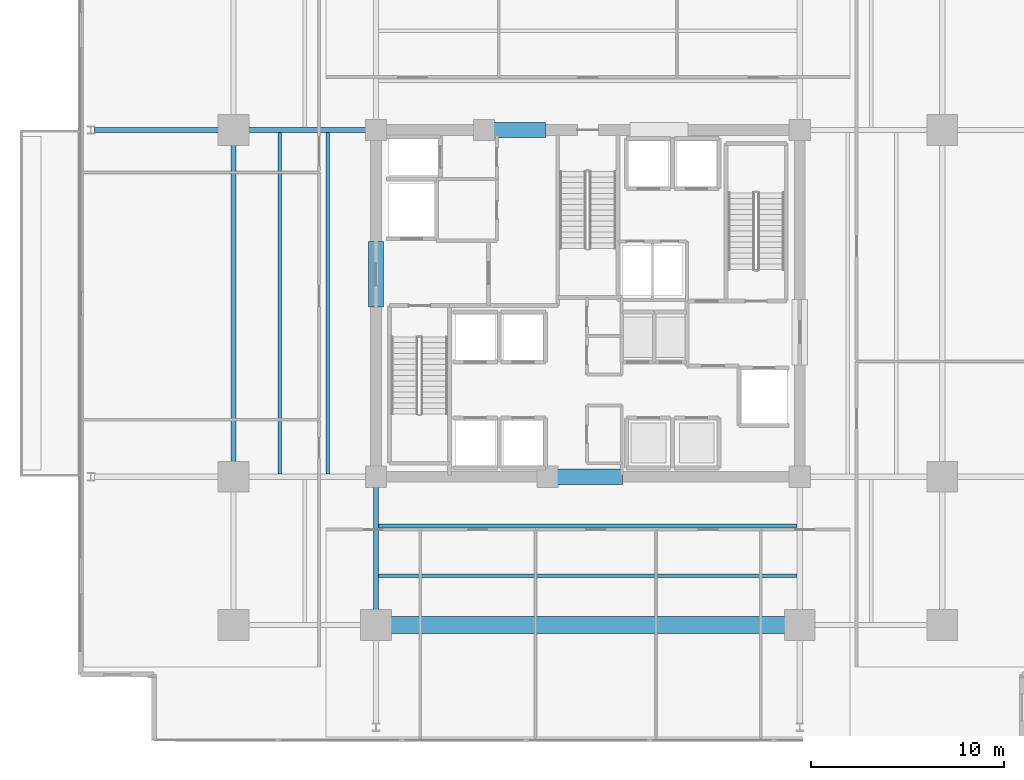
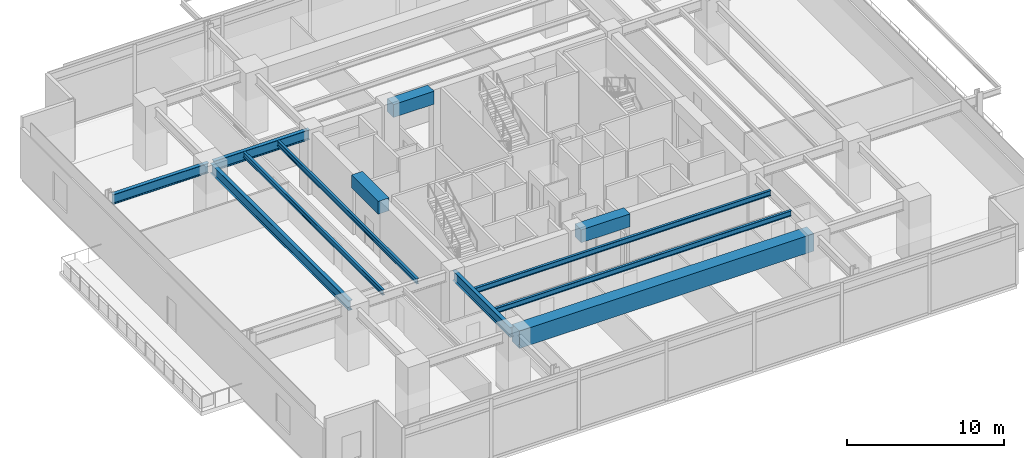
# One storey, part 4 of 24: 12 beams.
"""IFC4 building model written with IfcOpenShell, lengths in metres."""

from ifc_helpers import new_model, si_unit, direction, frame, origin, origin_2d, place, context, subcontext, project, spatial, rectangle, i_section, extrude, material, material_profile, profile_set, type_object, element, save


model = new_model("IFC4")

# Units and contexts
model_context = context("Model", 3, precision=1e-05, world=origin(), true_north=direction((0.0, 1.0)))
body_context = subcontext(model_context, "Body", "Model", "MODEL_VIEW")
ifc_project = project(units=[si_unit("LENGTHUNIT", "METRE"), si_unit("AREAUNIT", "SQUARE_METRE"), si_unit("VOLUMEUNIT", "CUBIC_METRE"), si_unit("PLANEANGLEUNIT", "RADIAN"), si_unit("MASSUNIT", "GRAM", prefix="KILO")], contexts=[model_context])

# Site, building, storey
site_placement = place(None, origin())
site = spatial("IfcSite", under=ifc_project, at=site_placement, CompositionType="ELEMENT")
building_placement = place(site_placement, origin())
building = spatial("IfcBuilding", under=site, at=building_placement, Name="Kovane Verandah Tower", CompositionType="ELEMENT")
storey_placement = place(building_placement, frame((0.0, 0.0, 118.39990234375)))
storey = spatial("IfcBuildingStorey", under=building, at=storey_placement, Name="L27", CompositionType="ELEMENT", Elevation=118.39990234375)

# Beams
ifc_material_1 = material(Name="Concrete C60/75", Category="concrete")
ifc_material_profile_1 = material_profile(ifc_material_1, rectangle(XDim=0.800048828125, YDim=1.0, at=origin_2d()), Name="RCB800x1000")
ifc_profile_set_1 = profile_set([ifc_material_profile_1], Name="Concrete C60/75")
beam_type_1 = type_object("IfcBeamType", Name="BM-LINTEL-800x1000", PredefinedType="LINTEL", material=ifc_profile_set_1)
beam_1_placement = place(storey_placement, frame((38.199951171875, 18.5, 4.2001953125), z_axis=(1.0, 0.0, 0.0), x_axis=(0.0, 1.0, 0.0)))
element("IfcBeam", 1, at=beam_1_placement, inside=storey, type_object=beam_type_1, Name="L27 Core Coupling Lintel CL-S", PredefinedType="LINTEL", context=body_context, shape_type="SweptSolid", body=[
    extrude(rectangle(XDim=0.800048828125, YDim=1.0, at=origin_2d()), origin(), (0.0, 0.0, 1.0), 3.60009765625),
])
beam_2_placement = place(storey_placement, frame((34.800048828125, 36.5, 4.2001953125), z_axis=(1.0, 0.0, 0.0), x_axis=(0.0, 1.0, 0.0)))
element("IfcBeam", 2, at=beam_2_placement, inside=storey, type_object=beam_type_1, Name="L27 Core Coupling Lintel CL-N1", PredefinedType="LINTEL", context=body_context, shape_type="SweptSolid", body=[
    extrude(rectangle(XDim=0.800048828125, YDim=1.0, at=origin_2d()), origin(), (0.0, 0.0, 1.0), 3.0),
])
beam_3_placement = place(storey_placement, frame((29.0, 27.300048828125, 4.2001953125), z_axis=(0.0, 1.0, 0.0), x_axis=(-1.0, 0.0, 0.0)))
element("IfcBeam", 3, at=beam_3_placement, inside=storey, type_object=beam_type_1, Name="L27 Core Coupling Lintel CL-W", PredefinedType="LINTEL", context=body_context, shape_type="SweptSolid", body=[
    extrude(rectangle(XDim=0.800048828125, YDim=1.0, at=origin_2d()), origin(), (0.0, 0.0, 1.0), 3.39990234375),
])
ifc_material_2 = material(Name="Concrete C80/95", Category="concrete")
ifc_material_profile_2 = material_profile(ifc_material_2, rectangle(XDim=0.89990234375, YDim=1.35009765625, at=origin_2d()), Name="RCB900x1350")
ifc_profile_set_2 = profile_set([ifc_material_profile_2], Name="Concrete C80/95")
beam_type_2 = type_object("IfcBeamType", Name="BM-TR-900x1350", PredefinedType="BEAM", material=ifc_profile_set_2)
beam_4_placement = place(storey_placement, frame((29.179931640625, 10.800048828125, 4.025146484375), z_axis=(1.0, 0.0, 0.0), x_axis=(0.0, 1.0, 0.0)))
element("IfcBeam", 4, at=beam_4_placement, inside=storey, type_object=beam_type_2, Name="L27 Primary Tower Girder G-RS2", PredefinedType="BEAM", context=body_context, shape_type="SweptSolid", body=[
    extrude(rectangle(XDim=0.89990234375, YDim=1.35009765625, at=origin_2d()), origin(), (0.0, 0.0, 1.0), 21.64013671875),
])
ifc_material_3 = material(Name="Steel S355", Category="steel")
ifc_material_profile_3 = material_profile(ifc_material_3, i_section(OverallWidth=0.26806640625, OverallDepth=0.769775390625, WebThickness=0.015625, FlangeThickness=0.025390625, FilletRadius=0.0166015625, at=origin_2d()), Name="UB762x267x197")
ifc_profile_set_3 = profile_set([ifc_material_profile_3], Name="Steel S355")
beam_type_3 = type_object("IfcBeamType", Name="BM-UB762x197", PredefinedType="BEAM", material=ifc_profile_set_3)
beam_5_placement = place(storey_placement, frame((21.60009765625, 18.679931640625, 4.315185546875), z_axis=(0.0, 1.0, 0.0), x_axis=(-1.0, 0.0, 0.0)))
element("IfcBeam", 5, at=beam_5_placement, inside=storey, type_object=beam_type_3, Name="L27 Primary Tower Girder G-RW2", PredefinedType="BEAM", context=body_context, shape_type="SweptSolid", body=[
    extrude(i_section(OverallWidth=0.26806640625, OverallDepth=0.769775390625, WebThickness=0.015625, FlangeThickness=0.025390625, FilletRadius=0.0166015625, at=origin_2d()), origin(), (0.0, 0.0, 1.0), 17.64013671875),
])
beam_6_placement = place(storey_placement, frame((28.820068359375, 36.5, 4.315185546875), z_axis=(-1.0, 0.0, 0.0), x_axis=(0.0, -1.0, 0.0)))
element("IfcBeam", 6, at=beam_6_placement, inside=storey, type_object=beam_type_3, Name="L27 Primary Tower Girder G-W2", PredefinedType="BEAM", context=body_context, shape_type="SweptSolid", body=[
    extrude(i_section(OverallWidth=0.26806640625, OverallDepth=0.769775390625, WebThickness=0.015625, FlangeThickness=0.025390625, FilletRadius=0.0166015625, at=origin_2d()), origin(), (0.0, 0.0, 1.0), 7.0400390625),
])
beam_7_placement = place(storey_placement, frame((29.0, 18.320068359375, 4.315185546875), z_axis=(0.0, -1.0, 0.0), x_axis=(1.0, 0.0, 0.0)))
element("IfcBeam", 7, at=beam_7_placement, inside=storey, type_object=beam_type_3, Name="L27 Primary Tower Girder G-S1", PredefinedType="BEAM", context=body_context, shape_type="SweptSolid", body=[
    extrude(i_section(OverallWidth=0.26806640625, OverallDepth=0.769775390625, WebThickness=0.015625, FlangeThickness=0.025390625, FilletRadius=0.0166015625, at=origin_2d()), origin(), (0.0, 0.0, 1.0), 7.340087890625),
])
beam_8_placement = place(storey_placement, frame((21.419921875, 36.5, 4.315185546875), z_axis=(-1.0, 0.0, 0.0), x_axis=(0.0, -1.0, 0.0)))
element("IfcBeam", 8, at=beam_8_placement, inside=storey, type_object=beam_type_3, Name="L27 Primary Tower Girder G-VW2", PredefinedType="BEAM", context=body_context, shape_type="SweptSolid", body=[
    extrude(i_section(OverallWidth=0.26806640625, OverallDepth=0.769775390625, WebThickness=0.015625, FlangeThickness=0.025390625, FilletRadius=0.0166015625, at=origin_2d()), origin(), (0.0, 0.0, 1.0), 7.0400390625),
])
ifc_material_profile_4 = material_profile(ifc_material_3, i_section(OverallWidth=0.179443359375, OverallDepth=0.412841796875, WebThickness=0.009521484375, FlangeThickness=0.01611328125, FilletRadius=0.01025390625, at=origin_2d()), Name="UB406x178x74")
ifc_profile_set_4 = profile_set([ifc_material_profile_4], Name="Steel S355")
beam_type_4 = type_object("IfcBeamType", Name="JST-UB406x74", PredefinedType="JOIST", material=ifc_profile_set_4)
for number, where, z_axis, x_axis, name in (
    (9, (29.132080078125, 13.35009765625, 4.49365234375), (1.0, 0.0, 0.0), (0.0, 1.0, 0.0), "L27 Secondary Composite Joist J-S1"),
    (10, (29.132080078125, 15.949951171875, 4.49365234375), (1.0, 0.0, 0.0), (0.0, 1.0, 0.0), "L27 Secondary Composite Joist J-S2"),
):
    element("IfcBeam", number, at=place(storey_placement, frame(where, z_axis=z_axis, x_axis=x_axis)), inside=storey, type_object=beam_type_4, Name=name, PredefinedType="JOIST", context=body_context, shape_type="SweptSolid", body=[
        extrude(i_section(OverallWidth=0.179443359375, OverallDepth=0.412841796875, WebThickness=0.009521484375, FlangeThickness=0.01611328125, FilletRadius=0.01025390625, at=origin_2d()), origin(), (0.0, 0.0, 1.0), 21.73583984375),
    ])
for number, where, z_axis, x_axis, name in (
    (11, (24.0, 18.632080078125, 4.49365234375), (0.0, 1.0, 0.0), (-1.0, 0.0, 0.0), "L27 Secondary Composite Joist J-W1"),
    (12, (26.5, 18.632080078125, 4.49365234375), (0.0, 1.0, 0.0), (-1.0, 0.0, 0.0), "L27 Secondary Composite Joist J-W2"),
):
    element("IfcBeam", number, at=place(storey_placement, frame(where, z_axis=z_axis, x_axis=x_axis)), inside=storey, type_object=beam_type_4, Name=name, PredefinedType="JOIST", context=body_context, shape_type="SweptSolid", body=[
        extrude(i_section(OverallWidth=0.179443359375, OverallDepth=0.412841796875, WebThickness=0.009521484375, FlangeThickness=0.01611328125, FilletRadius=0.01025390625, at=origin_2d()), origin(), (0.0, 0.0, 1.0), 17.73583984375),
    ])

save(model, "model.ifc")
